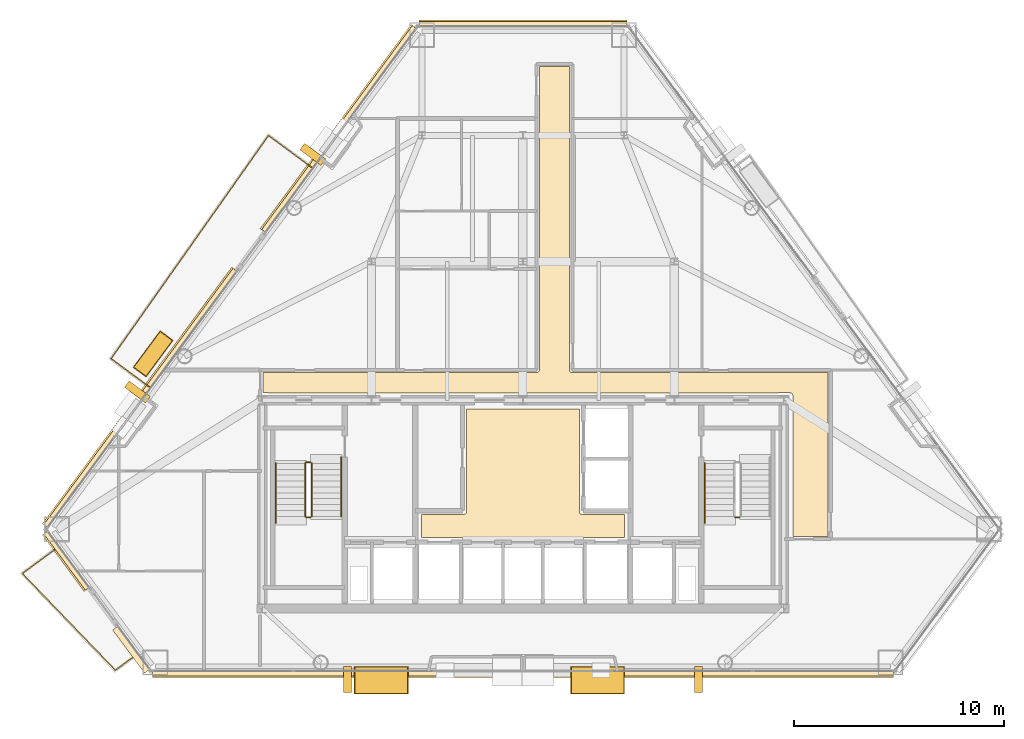
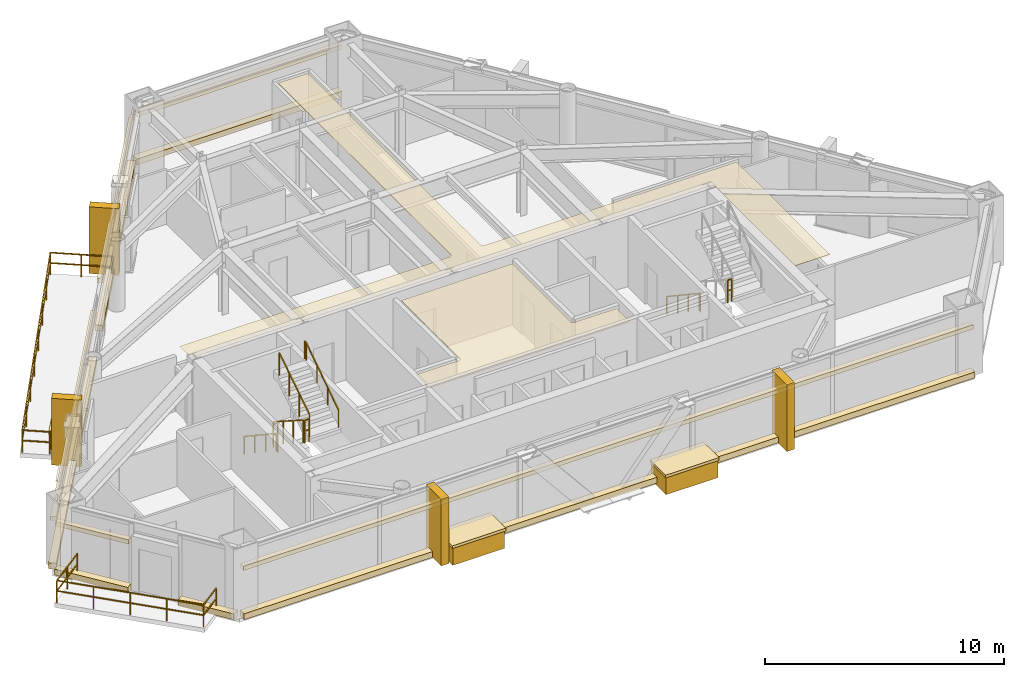
# One storey, part 10 of 11: 23 coverings, 10 railings.
"""IFC4 building model written with IfcOpenShell, lengths in metres."""

from ifc_helpers import new_model, si_unit, direction, frame, origin, origin_2d, place, context, subcontext, project, spatial, polyline, rectangle, outline, extrude, material, layer, layer_set, type_object, element, save


model = new_model("IFC4")

# Units and contexts
model_context = context("Model", 3, precision=1e-05, world=origin(), true_north=direction((0.0, 1.0)))
body_context = subcontext(model_context, "Body", "Model", "MODEL_VIEW")
ifc_project = project(units=[si_unit("LENGTHUNIT", "METRE"), si_unit("AREAUNIT", "SQUARE_METRE"), si_unit("VOLUMEUNIT", "CUBIC_METRE"), si_unit("PLANEANGLEUNIT", "RADIAN"), si_unit("MASSUNIT", "GRAM", prefix="KILO")], contexts=[model_context])

# Site, building, storey
site_placement = place(None, origin())
site = spatial("IfcSite", under=ifc_project, at=site_placement, CompositionType="ELEMENT")
building_placement = place(site_placement, origin())
building = spatial("IfcBuilding", under=site, at=building_placement, Name="Talgorran Terracotta Tower", CompositionType="ELEMENT")
storey_placement = place(building_placement, frame((0.0, 0.0, 150.89990234375)))
storey = spatial("IfcBuildingStorey", under=building, at=storey_placement, Name="L39", CompositionType="ELEMENT", Elevation=150.89990234375)

# Coverings
ifc_material_1 = material(Name="Kiln-Fired Terracotta Ochre Ceramic", Category="masonry")
ifc_layer_1 = layer(ifc_material_1, 0.179931640625, Name="COV_BAGUETTE_TERRACOTTA_SCREEN")
ifc_layer_set_1 = layer_set([ifc_layer_1], Name="Kiln-Fired Terracotta Ochre Ceramic")
covering_type_1 = type_object("IfcCoveringType", Name="COV_BAGUETTE_TERRACOTTA_SCREEN", PredefinedType="CLADDING", material=ifc_layer_set_1)
covering_1_placement = place(storey_placement, frame((-21.692626953125, -11.81689453125, 2.41015625), z_axis=(0.0, 0.0, 1.0), x_axis=(0.594064905441, -0.804417110785, 0.0)))
element("IfcCovering", 1, at=covering_1_placement, inside=storey, type_object=covering_type_1, Name="L39 Terracotta Baguette Solar Screen Assembly F10", PredefinedType="CLADDING", context=body_context, shape_type="SweptSolid", body=[
    extrude(rectangle(XDim=3.32568359375, YDim=0.260009765625, at=origin_2d()), origin(), (0.0, 0.0, 1.0), 0.219970703125),
])
covering_2_placement = place(storey_placement, frame((0.0, -17.17431640625, 2.41015625), z_axis=(0.0, 0.0, 1.0), x_axis=(1.0, 0.0, 0.0)))
element("IfcCovering", 2, at=covering_2_placement, inside=storey, type_object=covering_type_1, Name="L39 Terracotta Baguette Solar Screen Assembly F1", PredefinedType="CLADDING", context=body_context, shape_type="SweptSolid", body=[
    extrude(rectangle(XDim=35.230712890625, YDim=0.260009765625, at=origin_2d()), origin(), (0.0, 0.0, 1.0), 0.219970703125),
])
covering_3_placement = place(storey_placement, frame((0.0, 13.677978515625, 2.41015625), z_axis=(0.0, 0.0, 1.0), x_axis=(-1.0, 0.0, 0.0)))
element("IfcCovering", 3, at=covering_3_placement, inside=storey, type_object=covering_type_1, Name="L39 Terracotta Baguette Solar Screen Assembly F4", PredefinedType="CLADDING", context=body_context, shape_type="SweptSolid", body=[
    extrude(rectangle(XDim=9.8759765625, YDim=0.260009765625, at=origin_2d()), origin(), (0.0, 0.0, 1.0), 0.219970703125),
])
covering_4_placement = place(storey_placement, frame((-8.737060546875, 8.69677734375, 2.41015625), z_axis=(0.0, 0.0, 1.0), x_axis=(-0.594078945078, -0.804406742274, 0.0)))
element("IfcCovering", 4, at=covering_4_placement, inside=storey, type_object=covering_type_1, Name="L39 Terracotta Baguette Solar Screen Assembly F60", PredefinedType="CLADDING", context=body_context, shape_type="SweptSolid", body=[
    extrude(rectangle(XDim=12.0634765625, YDim=0.260009765625, at=origin_2d()), origin(), (0.0, 0.0, 1.0), 0.219970703125),
])
covering_5_placement = place(storey_placement, frame((-18.18359375, -4.09423828125, 2.41015625), z_axis=(0.0, 0.0, 1.0), x_axis=(-0.594078945078, -0.804406742274, 0.0)))
element("IfcCovering", 5, at=covering_5_placement, inside=storey, type_object=covering_type_1, Name="L39 Terracotta Baguette Solar Screen Assembly F61", PredefinedType="CLADDING", context=body_context, shape_type="SweptSolid", body=[
    extrude(rectangle(XDim=15.138916015625, YDim=0.260009765625, at=origin_2d()), origin(), (0.0, 0.0, 1.0), 0.219970703125),
])
ifc_material_2 = material(Name="Mineral Fibre Acoustic Tile")
ifc_layer_2 = layer(ifc_material_2, 0.02490234375, Name="COV_CEIL_ACOUSTIC")
ifc_layer_set_2 = layer_set([ifc_layer_2], Name="Mineral Fibre Acoustic Tile")
covering_type_2 = type_object("IfcCoveringType", Name="COV_CEIL_ACOUSTIC", PredefinedType="CEILING", material=ifc_layer_set_2)
covering_6_placement = place(storey_placement, frame((0.0, 0.0, 3.260009765625)))
element("IfcCovering", 6, at=covering_6_placement, inside=storey, type_object=covering_type_2, Name="CEIL-L39-2", PredefinedType="CEILING", context=body_context, shape_type="SweptSolid", body=[
    extrude(outline(polyline([(-12.112060546875, -3.844970703125), (-12.11328125, -3.84423828125), (-12.1240234375, -3.839111328125), (-12.13525390625, -3.835205078125), (-12.146484375, -3.832275390625), (-12.158203125, -3.83056640625), (-12.169921875, -3.830078125), (-12.364990234375, -3.830078125), (-12.364990234375, -2.885009765625), (0.64990234375, -2.885009765625), (0.66162109375, -2.884521484375), (0.67333984375, -2.8828125), (0.6845703125, -2.8798828125), (0.69287109375, -2.87744140625), (0.7041015625, -2.87353515625), (0.714599609375, -2.868408203125), (0.724853515625, -2.8623046875), (0.734375, -2.85546875), (0.742919921875, -2.847412109375), (0.7509765625, -2.8388671875), (0.756591796875, -2.83203125), (0.763671875, -2.822509765625), (0.769775390625, -2.8125), (0.774658203125, -2.8017578125), (0.77880859375, -2.79052734375), (0.781494140625, -2.779296875), (0.783203125, -2.767578125), (0.783935546875, -2.755615234375), (0.784912109375, 11.6650390625), (2.215087890625, 11.6650390625), (2.215087890625, -2.75), (2.215576171875, -2.76171875), (2.21728515625, -2.773193359375), (2.22021484375, -2.78466796875), (2.22265625, -2.79296875), (2.2265625, -2.803955078125), (2.231689453125, -2.814697265625), (2.237548828125, -2.82470703125), (2.24462890625, -2.834228515625), (2.25244140625, -2.843017578125), (2.26123046875, -2.850830078125), (2.26806640625, -2.8564453125), (2.277587890625, -2.863525390625), (2.28759765625, -2.86962890625), (2.29833984375, -2.874755859375), (2.309326171875, -2.878662109375), (2.32080078125, -2.881591796875), (2.33251953125, -2.88330078125), (2.34423828125, -2.8837890625), (14.514892578125, -2.885009765625), (14.514892578125, -10.6650390625), (12.8349609375, -10.6650390625), (12.834716796875, -3.97705078125), (12.833984375, -3.96533203125), (12.83251953125, -3.953857421875), (12.82958984375, -3.9423828125), (12.82568359375, -3.931396484375), (12.820556640625, -3.920654296875), (12.81640625, -3.9130859375), (12.810302734375, -3.90283203125), (12.803466796875, -3.893310546875), (12.79541015625, -3.884521484375), (12.78662109375, -3.876708984375), (12.777099609375, -3.86962890625), (12.76708984375, -3.863525390625), (12.75927734375, -3.859375), (12.748779296875, -3.8544921875), (12.73779296875, -3.8505859375), (12.7265625, -3.84765625), (12.715087890625, -3.845947265625), (12.703369140625, -3.84521484375), (12.6884765625, -3.84521484375), (12.6865234375, -3.84423828125), (12.67578125, -3.839111328125), (12.664794921875, -3.835205078125), (12.6533203125, -3.832275390625), (12.641845703125, -3.83056640625), (12.6298828125, -3.830078125), (12.169921875, -3.830078125), (12.158203125, -3.83056640625), (12.146484375, -3.832275390625), (12.13525390625, -3.835205078125), (12.1240234375, -3.839111328125), (12.11328125, -3.84423828125), (12.112060546875, -3.844970703125), (7.432861328125, -3.844970703125), (6.968017578125, -3.843017578125), (6.967529296875, -3.843017578125), (0.232666015625, -3.844970703125), (-0.23193359375, -3.843017578125), (-0.232421875, -3.843017578125), (-6.96728515625, -3.844970703125), (-7.431884765625, -3.843017578125), (-7.4326171875, -3.843017578125), (-12.112060546875, -3.844970703125)])), origin(), (0.0, 0.0, 1.0), 0.02001953125),
])
ifc_material_3 = material(Name="Flush Moisture-Resistant Plaster")
ifc_layer_3 = layer(ifc_material_3, 0.01806640625, Name="COV_CEIL_PLASTER")
ifc_layer_set_3 = layer_set([ifc_layer_3], Name="Flush Moisture-Resistant Plaster")
covering_type_3 = type_object("IfcCoveringType", Name="COV_CEIL_PLASTER", PredefinedType="CEILING", material=ifc_layer_set_3)
covering_7_placement = place(storey_placement, frame((0.0, 0.0, 3.260009765625)))
element("IfcCovering", 7, at=covering_7_placement, inside=storey, type_object=covering_type_3, Name="CEIL-L39-1", PredefinedType="CEILING", context=body_context, shape_type="SweptSolid", body=[
    extrude(outline(polyline([(-4.830078125, -9.6201171875), (-2.800048828125, -9.6201171875), (-2.7880859375, -9.619384765625), (-2.776611328125, -9.61767578125), (-2.76513671875, -9.61474609375), (-2.754150390625, -9.61083984375), (-2.743408203125, -9.605712890625), (-2.7333984375, -9.599853515625), (-2.723876953125, -9.5927734375), (-2.715087890625, -9.5849609375), (-2.707275390625, -9.576171875), (-2.7001953125, -9.566650390625), (-2.694091796875, -9.556640625), (-2.689208984375, -9.5458984375), (-2.685302734375, -9.534912109375), (-2.682373046875, -9.5234375), (-2.6806640625, -9.51171875), (-2.679931640625, -9.5), (-2.679931640625, -4.6201171875), (2.679931640625, -4.6201171875), (2.679931640625, -9.5), (2.6806640625, -9.51171875), (2.682373046875, -9.5234375), (2.685302734375, -9.534912109375), (2.689208984375, -9.5458984375), (2.694091796875, -9.556640625), (2.7001953125, -9.566650390625), (2.707275390625, -9.576171875), (2.715087890625, -9.5849609375), (2.723876953125, -9.5927734375), (2.7333984375, -9.599853515625), (2.743408203125, -9.605712890625), (2.754150390625, -9.61083984375), (2.76513671875, -9.61474609375), (2.776611328125, -9.61767578125), (2.7880859375, -9.619384765625), (2.800048828125, -9.6201171875), (4.830078125, -9.6201171875), (4.830078125, -10.72998046875), (-4.830078125, -10.72998046875), (-4.830078125, -9.6201171875)])), origin(), (0.0, 0.0, 1.0), 0.02001953125),
])
ifc_material_4 = material(Name="Honed Limestone and Terracotta Planter", Category="masonry")
ifc_layer_4 = layer(ifc_material_4, 0.1201171875, Name="COV_PLANTER_BOX")
ifc_layer_set_4 = layer_set([ifc_layer_4], Name="Honed Limestone and Terracotta Planter")
covering_type_4 = type_object("IfcCoveringType", Name="COV_PLANTER_BOX", PredefinedType="CLADDING", material=ifc_layer_set_4)
for number, where, z_axis, x_axis, name in (
    (8, (3.54931640625, -17.514404296875, -0.179931640625), (0.0, 0.0, 1.0), (1.0, 0.0, 0.0), "L39 Staggered South Facade Planter Box 1"),
    (9, (-6.743408203125, -17.514404296875, -0.179931640625), (0.0, 0.0, 1.0), (1.0, 0.0, 0.0), "L39 Staggered South Facade Planter Box 2"),
):
    element("IfcCovering", number, at=place(storey_placement, frame(where, z_axis=z_axis, x_axis=x_axis)), inside=storey, type_object=covering_type_4, Name=name, PredefinedType="CLADDING", context=body_context, shape_type="SweptSolid", body=[
        extrude(rectangle(XDim=2.5, YDim=1.25, at=origin_2d()), origin(), (0.0, 0.0, 1.0), 0.919921875),
    ])
covering_8_placement = place(storey_placement, frame((-17.587646484375, -1.9912109375, -0.02001953125), z_axis=(0.0, 0.0, 1.0), x_axis=(-0.594078945078, -0.804406742274, 0.0)))
element("IfcCovering", 10, at=covering_8_placement, inside=storey, type_object=covering_type_4, Name="L39 Staggered Balcony Planter Box BAL-NW", PredefinedType="CLADDING", context=body_context, shape_type="SweptSolid", body=[
    extrude(rectangle(XDim=2.10009765625, YDim=0.719970703125, at=origin_2d()), origin(), (0.0, 0.0, 1.0), 0.860107421875),
])
ifc_material_5 = material(Name="Kiln-Fired Terracotta Planter Rim", Category="masonry")
ifc_layer_5 = layer(ifc_material_5, 0.10009765625, Name="COV_PLANTER_RIM")
ifc_layer_set_5 = layer_set([ifc_layer_5], Name="Kiln-Fired Terracotta Planter Rim")
covering_type_5 = type_object("IfcCoveringType", Name="COV_PLANTER_RIM", PredefinedType="CLADDING", material=ifc_layer_set_5)
for number, where, z_axis, x_axis, name in (
    (11, (3.54931640625, -17.514404296875, 0.7099609375), (0.0, 0.0, 1.0), (1.0, 0.0, 0.0), "L39 South Planter Terracotta Rim 1"),
    (12, (-6.743408203125, -17.514404296875, 0.7099609375), (0.0, 0.0, 1.0), (1.0, 0.0, 0.0), "L39 South Planter Terracotta Rim 2"),
):
    element("IfcCovering", number, at=place(storey_placement, frame(where, z_axis=z_axis, x_axis=x_axis)), inside=storey, type_object=covering_type_5, Name=name, PredefinedType="CLADDING", context=body_context, shape_type="SweptSolid", body=[
        extrude(rectangle(XDim=2.580078125, YDim=1.320068359375, at=origin_2d()), origin(), (0.0, 0.0, 1.0), 0.139892578125),
    ])
covering_9_placement = place(storey_placement, frame((-17.587646484375, -1.9912109375, 0.800048828125), z_axis=(0.0, 0.0, 1.0), x_axis=(-0.594078945078, -0.804406742274, 0.0)))
element("IfcCovering", 13, at=covering_9_placement, inside=storey, type_object=covering_type_5, Name="L39 Balcony Planter Terracotta Rim BAL-NW", PredefinedType="CLADDING", context=body_context, shape_type="SweptSolid", body=[
    extrude(rectangle(XDim=2.179931640625, YDim=0.780029296875, at=origin_2d()), origin(), (0.0, 0.0, 1.0), 0.1201171875),
])
ifc_material_6 = material(Name="Honed Limestone Cladding", Category="masonry")
ifc_layer_6 = layer(ifc_material_6, 0.094970703125, Name="COV_PORTAL_LIME")
ifc_layer_set_6 = layer_set([ifc_layer_6], Name="Honed Limestone Cladding")
covering_type_6 = type_object("IfcCoveringType", Name="COV_PORTAL_LIME", PredefinedType="CLADDING", material=ifc_layer_set_6)
for number, where, z_axis, x_axis, name in (
    (14, (-8.340576171875, -17.474365234375, -0.0498046875), (0.0, 0.0, 1.0), (1.0, 0.0, 0.0), "L39 White Striped Portal Fin F1-1"),
    (15, (-9.99658203125, 7.49658203125, -0.0498046875), (0.0, 0.0, 1.0), (-0.594078945078, -0.804406742274, 0.0), "L39 White Striped Portal Fin F5-1"),
):
    element("IfcCovering", number, at=place(storey_placement, frame(where, z_axis=z_axis, x_axis=x_axis)), inside=storey, type_object=covering_type_6, Name=name, PredefinedType="CLADDING", context=body_context, shape_type="SweptSolid", body=[
        extrude(rectangle(XDim=0.3798828125, YDim=1.25, at=origin_2d()), origin(), (0.0, 0.0, 1.0), 3.39990234375),
    ])
ifc_material_7 = material(Name="Kiln-Fired Terracotta Cladding", Category="masonry")
ifc_layer_7 = layer(ifc_material_7, 0.090087890625, Name="COV_PORTAL_TERRA")
ifc_layer_set_7 = layer_set([ifc_layer_7], Name="Kiln-Fired Terracotta Cladding")
covering_type_7 = type_object("IfcCoveringType", Name="COV_PORTAL_TERRA", PredefinedType="CLADDING", material=ifc_layer_set_7)
covering_10_placement = place(storey_placement, frame((-21.724853515625, -11.840576171875, -0.0400390625), z_axis=(0.0, 0.0, 1.0), x_axis=(0.594064905441, -0.804417110785, 0.0)))
element("IfcCovering", 16, at=covering_10_placement, inside=storey, type_object=covering_type_7, Name="L39 Striped Postmodern Portal Cladding Band F10", PredefinedType="CLADDING", context=body_context, shape_type="SweptSolid", body=[
    extrude(rectangle(XDim=3.345703125, YDim=0.340087890625, at=origin_2d()), origin(), (0.0, 0.0, 1.0), 0.300048828125),
])
covering_11_placement = place(storey_placement, frame((-18.616943359375, -16.048583984375, -0.0400390625), z_axis=(0.0, 0.0, 1.0), x_axis=(0.594064905441, -0.804417110785, 0.0)))
element("IfcCovering", 17, at=covering_11_placement, inside=storey, type_object=covering_type_7, Name="L39 Striped Postmodern Portal Cladding Band F11", PredefinedType="CLADDING", context=body_context, shape_type="SweptSolid", body=[
    extrude(rectangle(XDim=2.556884765625, YDim=0.340087890625, at=origin_2d()), origin(), (0.0, 0.0, 1.0), 0.300048828125),
])
covering_12_placement = place(storey_placement, frame((0.0, -17.21435546875, -0.0400390625), z_axis=(0.0, 0.0, 1.0), x_axis=(1.0, 0.0, 0.0)))
element("IfcCovering", 18, at=covering_12_placement, inside=storey, type_object=covering_type_7, Name="L39 Striped Postmodern Portal Cladding Band F1", PredefinedType="CLADDING", context=body_context, shape_type="SweptSolid", body=[
    extrude(rectangle(XDim=35.250732421875, YDim=0.340087890625, at=origin_2d()), origin(), (0.0, 0.0, 1.0), 0.300048828125),
])
covering_13_placement = place(storey_placement, frame((0.0, 13.718017578125, -0.0400390625), z_axis=(0.0, 0.0, 1.0), x_axis=(-1.0, 0.0, 0.0)))
element("IfcCovering", 19, at=covering_13_placement, inside=storey, type_object=covering_type_7, Name="L39 Striped Postmodern Portal Cladding Band F4", PredefinedType="CLADDING", context=body_context, shape_type="SweptSolid", body=[
    extrude(rectangle(XDim=9.89599609375, YDim=0.340087890625, at=origin_2d()), origin(), (0.0, 0.0, 1.0), 0.300048828125),
])
covering_14_placement = place(storey_placement, frame((-8.769287109375, 8.720703125, -0.0400390625), z_axis=(0.0, 0.0, 1.0), x_axis=(-0.594078945078, -0.804406742274, 0.0)))
element("IfcCovering", 20, at=covering_14_placement, inside=storey, type_object=covering_type_7, Name="L39 Striped Postmodern Portal Cladding Band F60", PredefinedType="CLADDING", context=body_context, shape_type="SweptSolid", body=[
    extrude(rectangle(XDim=12.08349609375, YDim=0.340087890625, at=origin_2d()), origin(), (0.0, 0.0, 1.0), 0.300048828125),
])
covering_15_placement = place(storey_placement, frame((-18.2158203125, -4.070556640625, -0.0400390625), z_axis=(0.0, 0.0, 1.0), x_axis=(-0.594078945078, -0.804406742274, 0.0)))
element("IfcCovering", 21, at=covering_15_placement, inside=storey, type_object=covering_type_7, Name="L39 Striped Postmodern Portal Cladding Band F61", PredefinedType="CLADDING", context=body_context, shape_type="SweptSolid", body=[
    extrude(rectangle(XDim=15.158935546875, YDim=0.340087890625, at=origin_2d()), origin(), (0.0, 0.0, 1.0), 0.300048828125),
])
for number, where, z_axis, x_axis, name in (
    (22, (8.340576171875, -17.474365234375, -0.0498046875), (0.0, 0.0, 1.0), (1.0, 0.0, 0.0), "L39 Terracotta Striped Portal Fin F1-2"),
    (23, (-18.337158203125, -3.797119140625, -0.0498046875), (0.0, 0.0, 1.0), (-0.594078945078, -0.804406742274, 0.0), "L39 Terracotta Striped Portal Fin F5-2"),
):
    element("IfcCovering", number, at=place(storey_placement, frame(where, z_axis=z_axis, x_axis=x_axis)), inside=storey, type_object=covering_type_7, Name=name, PredefinedType="CLADDING", context=body_context, shape_type="SweptSolid", body=[
        extrude(rectangle(XDim=0.3798828125, YDim=1.25, at=origin_2d()), origin(), (0.0, 0.0, 1.0), 3.39990234375),
    ])

# Railings
ifc_material_8 = material(Name="Laminated Glass and Stainless Steel 316", Category="steel")
railing_type_1 = type_object("IfcRailingType", Name="RL_BALCONY_1150", PredefinedType="BALUSTRADE", material=ifc_material_8)
railing_1_placement = place(storey_placement, frame((-10.004638671875, 6.845947265625, 0.0)))
element("IfcRailing", 24, at=railing_1_placement, inside=storey, type_object=railing_type_1, Name="RL-L39-BAL-BAL-NW", PredefinedType="BALUSTRADE", context=body_context, shape_type="SweptSolid", body=[
    extrude(rectangle(XDim=0.048095703125, YDim=0.048095703125, at=origin_2d()), frame((0.0, 0.0, 1.1259765625), z_axis=(-0.80435333879, 0.594151248739, 0.0), x_axis=(-0.594151248739, -0.80435333879, 0.0)), (0.0, 0.0, 1.0), 2.605224609375),
    extrude(rectangle(XDim=0.048095703125, YDim=0.048095703125, at=origin_2d()), frame((0.0, 0.0, 0.597900390625), z_axis=(-0.80435333879, 0.594151248739, 0.0), x_axis=(-0.594151248739, -0.80435333879, 0.0)), (0.0, 0.0, 1.0), 2.605224609375),
    extrude(rectangle(XDim=0.048095703125, YDim=0.048095703125, at=origin_2d()), frame((-2.095458984375, 1.5478515625, 1.1259765625), z_axis=(-0.576415986029, -0.817156417738, 0.0), x_axis=(0.817156417738, -0.576415986029, 0.0)), (0.0, 0.0, 1.0), 12.98681640625),
    extrude(rectangle(XDim=0.048095703125, YDim=0.048095703125, at=origin_2d()), frame((-2.095458984375, 1.5478515625, 0.597900390625), z_axis=(-0.576415986029, -0.817156417738, 0.0), x_axis=(0.817156417738, -0.576415986029, 0.0)), (0.0, 0.0, 1.0), 12.98681640625),
    extrude(rectangle(XDim=0.048095703125, YDim=0.048095703125, at=origin_2d()), frame((-9.581298828125, -9.064453125, 1.1259765625), z_axis=(0.804418582345, -0.594062912811, 0.0), x_axis=(0.594062912811, 0.804418582345, 0.0)), (0.0, 0.0, 1.0), 2.322265625),
    extrude(rectangle(XDim=0.048095703125, YDim=0.048095703125, at=origin_2d()), frame((-9.581298828125, -9.064453125, 0.597900390625), z_axis=(0.804418582345, -0.594062912811, 0.0), x_axis=(0.594062912811, 0.804418582345, 0.0)), (0.0, 0.0, 1.0), 2.322265625),
    extrude(rectangle(XDim=0.0419921875, YDim=0.0419921875, at=origin_2d()), origin(), (0.0, 0.0, 1.0), 1.101806640625),
    extrude(rectangle(XDim=0.0419921875, YDim=0.0419921875, at=origin_2d()), frame((-1.0478515625, 0.77392578125, 0.0)), (0.0, 0.0, 1.0), 1.101806640625),
    extrude(rectangle(XDim=0.0419921875, YDim=0.0419921875, at=origin_2d()), frame((-2.095458984375, 1.5478515625, 0.0)), (0.0, 0.0, 1.0), 1.101806640625),
    extrude(rectangle(XDim=0.0419921875, YDim=0.0419921875, at=origin_2d()), frame((-3.164794921875, 0.03173828125, 0.0)), (0.0, 0.0, 1.0), 1.101806640625),
    extrude(rectangle(XDim=0.0419921875, YDim=0.0419921875, at=origin_2d()), frame((-4.234375, -1.484130859375, 0.0)), (0.0, 0.0, 1.0), 1.101806640625),
    extrude(rectangle(XDim=0.0419921875, YDim=0.0419921875, at=origin_2d()), frame((-5.3037109375, -3.000244140625, 0.0)), (0.0, 0.0, 1.0), 1.101806640625),
    extrude(rectangle(XDim=0.0419921875, YDim=0.0419921875, at=origin_2d()), frame((-6.373046875, -4.516357421875, 0.0)), (0.0, 0.0, 1.0), 1.101806640625),
    extrude(rectangle(XDim=0.0419921875, YDim=0.0419921875, at=origin_2d()), frame((-7.4423828125, -6.032470703125, 0.0)), (0.0, 0.0, 1.0), 1.101806640625),
    extrude(rectangle(XDim=0.0419921875, YDim=0.0419921875, at=origin_2d()), frame((-8.511962890625, -7.54833984375, 0.0)), (0.0, 0.0, 1.0), 1.101806640625),
    extrude(rectangle(XDim=0.0419921875, YDim=0.0419921875, at=origin_2d()), frame((-9.581298828125, -9.064453125, 0.0)), (0.0, 0.0, 1.0), 1.101806640625),
    extrude(rectangle(XDim=0.0419921875, YDim=0.0419921875, at=origin_2d()), frame((-8.647216796875, -9.75439453125, 0.0)), (0.0, 0.0, 1.0), 1.101806640625),
    extrude(rectangle(XDim=0.0419921875, YDim=0.0419921875, at=origin_2d()), frame((-7.713134765625, -10.444091796875, 0.0)), (0.0, 0.0, 1.0), 1.101806640625),
])
railing_2_placement = place(storey_placement, frame((-22.07861328125, -11.15966796875, 0.0)))
element("IfcRailing", 25, at=railing_2_placement, inside=storey, type_object=railing_type_1, Name="RL-L39-BAL-BAL-SW", PredefinedType="BALUSTRADE", context=body_context, shape_type="SweptSolid", body=[
    extrude(rectangle(XDim=0.048095703125, YDim=0.048095703125, at=origin_2d()), frame((0.0, 0.0, 1.1259765625), z_axis=(-0.804409874836, -0.594074703439, 0.0), x_axis=(0.594074703439, -0.804409874836, 0.0)), (0.0, 0.0, 1.0), 2.1484375),
    extrude(rectangle(XDim=0.048095703125, YDim=0.048095703125, at=origin_2d()), frame((0.0, 0.0, 0.597900390625), z_axis=(-0.804409874836, -0.594074703439, 0.0), x_axis=(0.594074703439, -0.804409874836, 0.0)), (0.0, 0.0, 1.0), 2.1484375),
    extrude(rectangle(XDim=0.048095703125, YDim=0.048095703125, at=origin_2d()), frame((-1.728271484375, -1.2763671875, 1.1259765625), z_axis=(0.693309871107, -0.720639592741, 0.0), x_axis=(0.720639592741, 0.693309871107, 0.0)), (0.0, 0.0, 1.0), 6.378173828125),
    extrude(rectangle(XDim=0.048095703125, YDim=0.048095703125, at=origin_2d()), frame((-1.728271484375, -1.2763671875, 0.597900390625), z_axis=(0.693309871107, -0.720639592741, 0.0), x_axis=(0.720639592741, 0.693309871107, 0.0)), (0.0, 0.0, 1.0), 6.378173828125),
    extrude(rectangle(XDim=0.048095703125, YDim=0.048095703125, at=origin_2d()), frame((2.69384765625, -5.872802734375, 1.1259765625), z_axis=(0.804410186493, 0.594074281439, 0.0), x_axis=(-0.594074281439, 0.804410186493, 0.0)), (0.0, 0.0, 1.0), 1.322021484375),
    extrude(rectangle(XDim=0.048095703125, YDim=0.048095703125, at=origin_2d()), frame((2.69384765625, -5.872802734375, 0.597900390625), z_axis=(0.804410186493, 0.594074281439, 0.0), x_axis=(-0.594074281439, 0.804410186493, 0.0)), (0.0, 0.0, 1.0), 1.322021484375),
    extrude(rectangle(XDim=0.0419921875, YDim=0.0419921875, at=origin_2d()), origin(), (0.0, 0.0, 1.0), 1.101806640625),
    extrude(rectangle(XDim=0.0419921875, YDim=0.0419921875, at=origin_2d()), frame((-0.8642578125, -0.63818359375, 0.0)), (0.0, 0.0, 1.0), 1.101806640625),
    extrude(rectangle(XDim=0.0419921875, YDim=0.0419921875, at=origin_2d()), frame((-1.728271484375, -1.2763671875, 0.0)), (0.0, 0.0, 1.0), 1.101806640625),
    extrude(rectangle(XDim=0.0419921875, YDim=0.0419921875, at=origin_2d()), frame((-0.622802734375, -2.425537109375, 0.0)), (0.0, 0.0, 1.0), 1.101806640625),
    extrude(rectangle(XDim=0.0419921875, YDim=0.0419921875, at=origin_2d()), frame((0.48291015625, -3.57470703125, 0.0)), (0.0, 0.0, 1.0), 1.101806640625),
    extrude(rectangle(XDim=0.0419921875, YDim=0.0419921875, at=origin_2d()), frame((1.58837890625, -4.7236328125, 0.0)), (0.0, 0.0, 1.0), 1.101806640625),
    extrude(rectangle(XDim=0.0419921875, YDim=0.0419921875, at=origin_2d()), frame((2.69384765625, -5.872802734375, 0.0)), (0.0, 0.0, 1.0), 1.101806640625),
    extrude(rectangle(XDim=0.0419921875, YDim=0.0419921875, at=origin_2d()), frame((3.75732421875, -5.08740234375, 0.0)), (0.0, 0.0, 1.0), 1.101806640625),
])
ifc_material_9 = material(Name="Steel S355 (300PLUS)", Category="steel")
railing_type_2 = type_object("IfcRailingType", Name="RL_HANDRAIL_920", PredefinedType="HANDRAIL", material=ifc_material_9)
railing_3_placement = place(storey_placement, frame((-11.75, -7.199951171875, 0.18017578125)))
element("IfcRailing", 26, at=railing_3_placement, inside=storey, type_object=railing_type_2, Name="L39 ST-01 stair handrail 1", PredefinedType="HANDRAIL", context=body_context, shape_type="SweptSolid", body=[
    extrude(rectangle(XDim=0.048095703125, YDim=0.048095703125, at=origin_2d()), frame((0.0, 0.0, 0.89599609375), z_axis=(0.0, -0.832073444223, 0.554665469827), x_axis=(1.0, 0.0, 0.0)), (0.0, 0.0, 1.0), 3.244873046875),
    extrude(rectangle(XDim=0.048095703125, YDim=0.048095703125, at=origin_2d()), frame((0.0, -2.699951171875, 2.69580078125), z_axis=(0.0, -1.0, 0.0), x_axis=(1.0, 0.0, 0.0)), (0.0, 0.0, 1.0), 0.1201171875),
    extrude(rectangle(XDim=0.0419921875, YDim=0.0419921875, at=origin_2d()), origin(), (0.0, 0.0, 1.0), 0.871826171875),
    extrude(rectangle(XDim=0.0419921875, YDim=0.0419921875, at=origin_2d()), frame((0.0, -0.89990234375, 0.599853515625)), (0.0, 0.0, 1.0), 0.871826171875),
    extrude(rectangle(XDim=0.0419921875, YDim=0.0419921875, at=origin_2d()), frame((0.0, -1.800048828125, 1.199951171875)), (0.0, 0.0, 1.0), 0.871826171875),
    extrude(rectangle(XDim=0.0419921875, YDim=0.0419921875, at=origin_2d()), frame((0.0, -2.699951171875, 1.7998046875)), (0.0, 0.0, 1.0), 0.871826171875),
    extrude(rectangle(XDim=0.0419921875, YDim=0.0419921875, at=origin_2d()), frame((0.0, -2.820068359375, 1.7998046875)), (0.0, 0.0, 1.0), 0.871826171875),
])
railing_4_placement = place(storey_placement, frame((-8.64990234375, -9.719970703125, 1.97998046875)))
element("IfcRailing", 27, at=railing_4_placement, inside=storey, type_object=railing_type_2, Name="L39 ST-01 stair handrail 2", PredefinedType="HANDRAIL", context=body_context, shape_type="SweptSolid", body=[
    extrude(rectangle(XDim=0.048095703125, YDim=0.048095703125, at=origin_2d()), frame((0.0, 0.0, 0.89599609375), z_axis=(0.0, 0.832038719335, 0.554717558338), x_axis=(-1.0, 0.0, 0.0)), (0.0, 0.0, 1.0), 3.244873046875),
    extrude(rectangle(XDim=0.048095703125, YDim=0.048095703125, at=origin_2d()), frame((0.0, 2.699951171875, 2.69580078125), z_axis=(0.0, 1.0, 0.0), x_axis=(-1.0, 0.0, 0.0)), (0.0, 0.0, 1.0), 0.1201171875),
    extrude(rectangle(XDim=0.0419921875, YDim=0.0419921875, at=origin_2d()), origin(), (0.0, 0.0, 1.0), 0.871826171875),
    extrude(rectangle(XDim=0.0419921875, YDim=0.0419921875, at=origin_2d()), frame((0.0, 0.89990234375, 0.60009765625)), (0.0, 0.0, 1.0), 0.871826171875),
    extrude(rectangle(XDim=0.0419921875, YDim=0.0419921875, at=origin_2d()), frame((0.0, 1.800048828125, 1.199951171875)), (0.0, 0.0, 1.0), 0.871826171875),
    extrude(rectangle(XDim=0.0419921875, YDim=0.0419921875, at=origin_2d()), frame((0.0, 2.699951171875, 1.800048828125)), (0.0, 0.0, 1.0), 0.871826171875),
    extrude(rectangle(XDim=0.0419921875, YDim=0.0419921875, at=origin_2d()), frame((0.0, 2.820068359375, 1.800048828125)), (0.0, 0.0, 1.0), 0.871826171875),
])
railing_5_placement = place(storey_placement, frame((8.64990234375, -7.199951171875, 0.18017578125)))
element("IfcRailing", 28, at=railing_5_placement, inside=storey, type_object=railing_type_2, Name="L39 ST-02 stair handrail 1", PredefinedType="HANDRAIL", context=body_context, shape_type="SweptSolid", body=[
    extrude(rectangle(XDim=0.048095703125, YDim=0.048095703125, at=origin_2d()), frame((0.0, 0.0, 0.89599609375), z_axis=(0.0, -0.832073444223, 0.554665469827), x_axis=(1.0, 0.0, 0.0)), (0.0, 0.0, 1.0), 3.244873046875),
    extrude(rectangle(XDim=0.048095703125, YDim=0.048095703125, at=origin_2d()), frame((0.0, -2.699951171875, 2.69580078125), z_axis=(0.0, -1.0, 0.0), x_axis=(1.0, 0.0, 0.0)), (0.0, 0.0, 1.0), 0.1201171875),
    extrude(rectangle(XDim=0.0419921875, YDim=0.0419921875, at=origin_2d()), origin(), (0.0, 0.0, 1.0), 0.871826171875),
    extrude(rectangle(XDim=0.0419921875, YDim=0.0419921875, at=origin_2d()), frame((0.0, -0.89990234375, 0.599853515625)), (0.0, 0.0, 1.0), 0.871826171875),
    extrude(rectangle(XDim=0.0419921875, YDim=0.0419921875, at=origin_2d()), frame((0.0, -1.800048828125, 1.199951171875)), (0.0, 0.0, 1.0), 0.871826171875),
    extrude(rectangle(XDim=0.0419921875, YDim=0.0419921875, at=origin_2d()), frame((0.0, -2.699951171875, 1.7998046875)), (0.0, 0.0, 1.0), 0.871826171875),
    extrude(rectangle(XDim=0.0419921875, YDim=0.0419921875, at=origin_2d()), frame((0.0, -2.820068359375, 1.7998046875)), (0.0, 0.0, 1.0), 0.871826171875),
])
railing_type_3 = type_object("IfcRailingType", Name="RL_STAIR_GUARD", PredefinedType="GUARDRAIL", material=ifc_material_9)
railing_6_placement = place(storey_placement, frame((-10.35009765625, -7.199951171875, 0.18017578125)))
element("IfcRailing", 29, at=railing_6_placement, inside=storey, type_object=railing_type_3, Name="L39 ST-01 stair guard 1", PredefinedType="GUARDRAIL", context=body_context, shape_type="SweptSolid", body=[
    extrude(rectangle(XDim=0.048095703125, YDim=0.048095703125, at=origin_2d()), frame((0.0, 0.0, 1.15576171875), z_axis=(0.0, -0.841199657755, 0.540724639528), x_axis=(1.0, 0.0, 0.0)), (0.0, 0.0, 1.0), 2.995849609375),
    extrude(rectangle(XDim=0.0419921875, YDim=0.0419921875, at=origin_2d()), origin(), (0.0, 0.0, 1.0), 1.1318359375),
    extrude(rectangle(XDim=0.0419921875, YDim=0.0419921875, at=origin_2d()), frame((0.0, -0.840087890625, 0.5400390625)), (0.0, 0.0, 1.0), 1.1318359375),
    extrude(rectangle(XDim=0.0419921875, YDim=0.0419921875, at=origin_2d()), frame((0.0, -1.679931640625, 1.079833984375)), (0.0, 0.0, 1.0), 1.1318359375),
    extrude(rectangle(XDim=0.0419921875, YDim=0.0419921875, at=origin_2d()), frame((0.0, -2.52001953125, 1.619873046875)), (0.0, 0.0, 1.0), 1.1318359375),
])
railing_7_placement = place(storey_placement, frame((-10.300048828125, -9.77001953125, 1.800048828125)))
element("IfcRailing", 30, at=railing_7_placement, inside=storey, type_object=railing_type_3, Name="L39 ST-01 stair guard 2", PredefinedType="GUARDRAIL", context=body_context, shape_type="SweptSolid", body=[
    extrude(rectangle(XDim=0.048095703125, YDim=0.048095703125, at=origin_2d()), frame((0.0, 0.0, 1.15576171875), z_axis=(1.0, 0.0, 0.0), x_axis=(0.0, 1.0, 0.0)), (0.0, 0.0, 1.0), 0.199951171875),
    extrude(rectangle(XDim=0.048095703125, YDim=0.048095703125, at=origin_2d()), frame((0.0, 0.0, 0.613525390625), z_axis=(1.0, 0.0, 0.0), x_axis=(0.0, 1.0, 0.0)), (0.0, 0.0, 1.0), 0.199951171875),
    extrude(rectangle(XDim=0.0419921875, YDim=0.0419921875, at=origin_2d()), origin(), (0.0, 0.0, 1.0), 1.1318359375),
    extrude(rectangle(XDim=0.0419921875, YDim=0.0419921875, at=origin_2d()), frame((0.199951171875, 0.0, 0.0)), (0.0, 0.0, 1.0), 1.1318359375),
])
railing_8_placement = place(storey_placement, frame((-10.050048828125, -9.719970703125, 1.97998046875)))
element("IfcRailing", 31, at=railing_8_placement, inside=storey, type_object=railing_type_3, Name="L39 ST-01 stair guard 3", PredefinedType="GUARDRAIL", context=body_context, shape_type="SweptSolid", body=[
    extrude(rectangle(XDim=0.048095703125, YDim=0.048095703125, at=origin_2d()), frame((0.0, 0.0, 1.15576171875), z_axis=(0.0, 0.841162588446, 0.540782303519), x_axis=(-1.0, 0.0, 0.0)), (0.0, 0.0, 1.0), 2.995849609375),
    extrude(rectangle(XDim=0.0419921875, YDim=0.0419921875, at=origin_2d()), origin(), (0.0, 0.0, 1.0), 1.1318359375),
    extrude(rectangle(XDim=0.0419921875, YDim=0.0419921875, at=origin_2d()), frame((0.0, 0.840087890625, 0.5400390625)), (0.0, 0.0, 1.0), 1.1318359375),
    extrude(rectangle(XDim=0.0419921875, YDim=0.0419921875, at=origin_2d()), frame((0.0, 1.679931640625, 1.080078125)), (0.0, 0.0, 1.0), 1.1318359375),
    extrude(rectangle(XDim=0.0419921875, YDim=0.0419921875, at=origin_2d()), frame((0.0, 2.52001953125, 1.6201171875)), (0.0, 0.0, 1.0), 1.1318359375),
])
for number, where, name in (
    (32, (-10.300048828125, -7.14990234375, 0.0), "L39 ST-01 stair guard 4"),
    (33, (10.10009765625, -9.77001953125, 1.800048828125), "L39 ST-02 stair guard 2"),
):
    element("IfcRailing", number, at=place(storey_placement, frame(where)), inside=storey, type_object=railing_type_3, Name=name, PredefinedType="GUARDRAIL", context=body_context, shape_type="SweptSolid", body=[
        extrude(rectangle(XDim=0.048095703125, YDim=0.048095703125, at=origin_2d()), frame((0.0, 0.0, 1.15576171875), z_axis=(1.0, 0.0, 0.0), x_axis=(0.0, 1.0, 0.0)), (0.0, 0.0, 1.0), 0.199951171875),
        extrude(rectangle(XDim=0.048095703125, YDim=0.048095703125, at=origin_2d()), frame((0.0, 0.0, 0.613525390625), z_axis=(1.0, 0.0, 0.0), x_axis=(0.0, 1.0, 0.0)), (0.0, 0.0, 1.0), 0.199951171875),
        extrude(rectangle(XDim=0.0419921875, YDim=0.0419921875, at=origin_2d()), origin(), (0.0, 0.0, 1.0), 1.1318359375),
        extrude(rectangle(XDim=0.0419921875, YDim=0.0419921875, at=origin_2d()), frame((0.199951171875, 0.0, 0.0)), (0.0, 0.0, 1.0), 1.1318359375),
    ])

save(model, "model.ifc")
